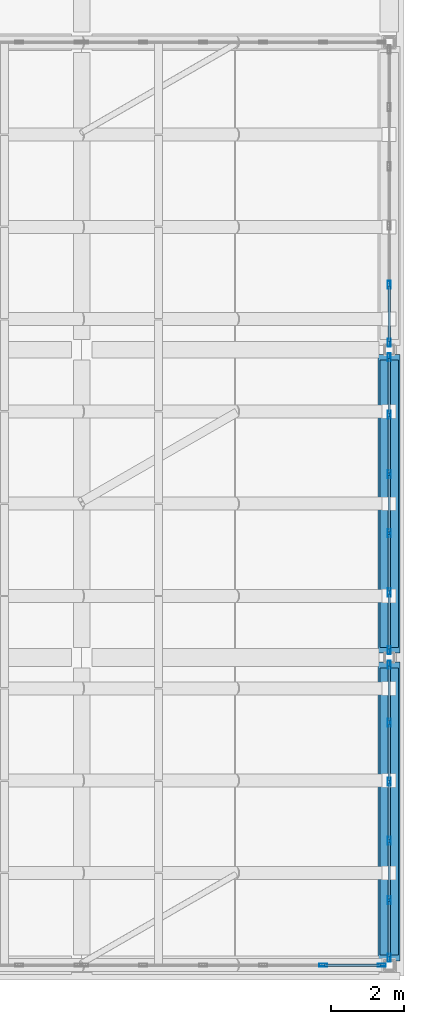
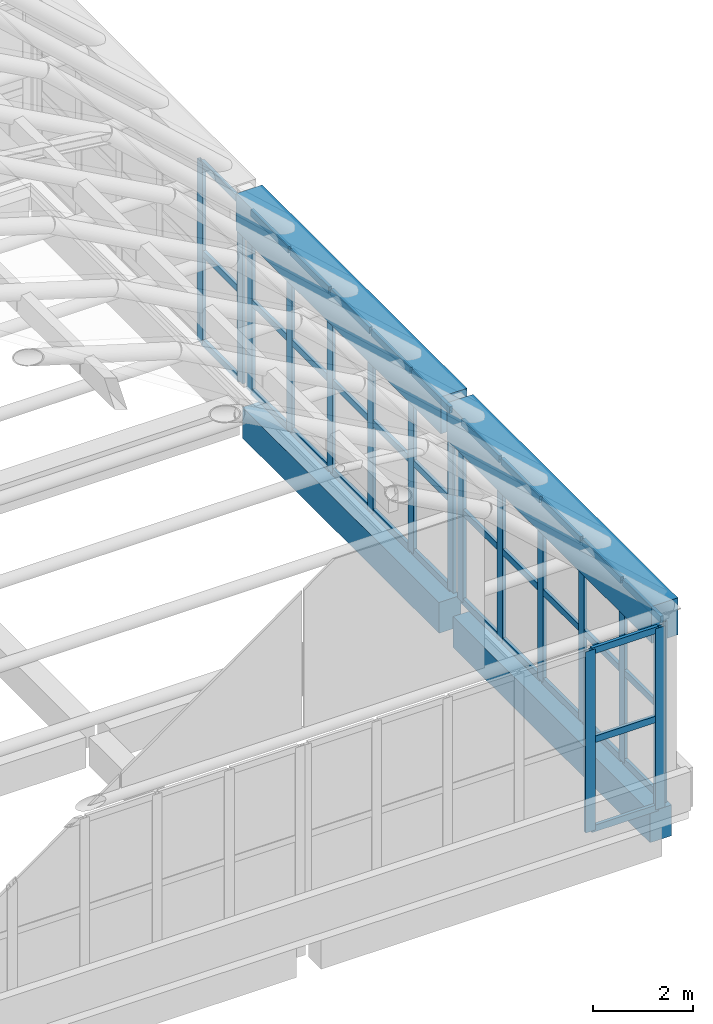
# One storey, part 20 of 26: 52 members, 4 beams, 4 elements without a shape of their own.
"""IFC4 building model written with IfcOpenShell, lengths in metres."""

from ifc_helpers import new_model, si_unit, direction, frame, origin, origin_2d, place, context, subcontext, project, spatial, rectangle, hollow_rectangle, extrude, material, layer, layer_set, material_profile, profile_set, type_object, element, aggregate, save


model = new_model("IFC4")

# Units and contexts
model_context = context("Model", 3, precision=1e-05, world=origin(), true_north=direction((0.0, 1.0)))
body_context = subcontext(model_context, "Body", "Model", "MODEL_VIEW")
ifc_project = project(units=[si_unit("LENGTHUNIT", "METRE"), si_unit("AREAUNIT", "SQUARE_METRE"), si_unit("VOLUMEUNIT", "CUBIC_METRE"), si_unit("PLANEANGLEUNIT", "RADIAN"), si_unit("MASSUNIT", "GRAM", prefix="KILO")], contexts=[model_context])

# Site, building, storey
site_placement = place(None, origin())
site = spatial("IfcSite", under=ifc_project, at=site_placement, CompositionType="ELEMENT")
building_placement = place(site_placement, origin())
building = spatial("IfcBuilding", under=site, at=building_placement, Name="Xazarin Passage Department Store", CompositionType="ELEMENT")
storey_placement = place(building_placement, frame((0.0, 0.0, 36.89990234375)))
storey = spatial("IfcBuildingStorey", under=building, at=storey_placement, Name="RF", CompositionType="ELEMENT", Elevation=36.89990234375)

# Curtain wall, members
ifc_material_1 = material(Name="Bronze anodised aluminium", Category="aluminium")
ifc_layer = layer(ifc_material_1, 0.199951171875)
ifc_layer_set = layer_set([ifc_layer], Name="Bronze anodised aluminium")
curtain_wall_type = type_object("IfcCurtainWallType", Name="ARC-CW-VIT2", PredefinedType="NOTDEFINED", material=ifc_layer_set)
curtain_wall_1_placement = place(storey_placement, origin())
curtain_wall_1 = element("IfcCurtainWall", 1, at=curtain_wall_1_placement, inside=storey, type_object=curtain_wall_type, Name="RF V1 Atrium Lantern Curtain Wall 02", PredefinedType="NOTDEFINED")
ifc_material_profile_1 = material_profile(ifc_material_1, hollow_rectangle(XDim=0.074951171875, YDim=0.219970703125, WallThickness=0.0048828125, at=origin_2d()), Name="ALU 75x220")
ifc_profile_set_1 = profile_set([ifc_material_profile_1], Name="Bronze anodised aluminium")
member_type_1 = type_object("IfcMemberType", Name="ARC-CWM-75x220", PredefinedType="MULLION", material=ifc_profile_set_1)
member_1_placement = place(storey_placement, frame((33.60009765625, 76.597412109375, 0.0), z_axis=(0.0, 0.0, 1.0), x_axis=(-1.0, 0.0, 0.0)))
member_1 = element("IfcMember", 2, at=member_1_placement, type_object=member_type_1, Name="CW2 mullion 1", PredefinedType="MULLION", context=body_context, shape_type="SweptSolid", body=[
    extrude(hollow_rectangle(XDim=0.074951171875, YDim=0.219970703125, WallThickness=0.0048828125, at=origin_2d()), origin(), (0.0, 0.0, 1.0), 4.404296875),
])
member_2_placement = place(storey_placement, frame((33.60009765625, 78.176025390625, 0.0), z_axis=(0.0, 0.0, 1.0), x_axis=(-1.0, 0.0, 0.0)))
member_2 = element("IfcMember", 3, at=member_2_placement, type_object=member_type_1, Name="CW2 mullion 2", PredefinedType="MULLION", context=body_context, shape_type="SweptSolid", body=[
    extrude(hollow_rectangle(XDim=0.074951171875, YDim=0.219970703125, WallThickness=0.0048828125, at=origin_2d()), origin(), (0.0, 0.0, 1.0), 4.404296875),
])
member_3_placement = place(storey_placement, frame((33.60009765625, 79.7919921875, 0.0), z_axis=(0.0, 0.0, 1.0), x_axis=(-1.0, 0.0, 0.0)))
member_3 = element("IfcMember", 4, at=member_3_placement, type_object=member_type_1, Name="CW2 mullion 3", PredefinedType="MULLION", context=body_context, shape_type="SweptSolid", body=[
    extrude(hollow_rectangle(XDim=0.074951171875, YDim=0.219970703125, WallThickness=0.0048828125, at=origin_2d()), origin(), (0.0, 0.0, 1.0), 4.404296875),
])
member_4_placement = place(storey_placement, frame((33.60009765625, 81.407958984375, 0.0), z_axis=(0.0, 0.0, 1.0), x_axis=(-1.0, 0.0, 0.0)))
member_4 = element("IfcMember", 5, at=member_4_placement, type_object=member_type_1, Name="CW2 mullion 4", PredefinedType="MULLION", context=body_context, shape_type="SweptSolid", body=[
    extrude(hollow_rectangle(XDim=0.074951171875, YDim=0.219970703125, WallThickness=0.0048828125, at=origin_2d()), origin(), (0.0, 0.0, 1.0), 4.404296875),
])
member_5_placement = place(storey_placement, frame((33.60009765625, 83.02392578125, 0.0), z_axis=(0.0, 0.0, 1.0), x_axis=(-1.0, 0.0, 0.0)))
member_5 = element("IfcMember", 6, at=member_5_placement, type_object=member_type_1, Name="CW2 mullion 5", PredefinedType="MULLION", context=body_context, shape_type="SweptSolid", body=[
    extrude(hollow_rectangle(XDim=0.074951171875, YDim=0.219970703125, WallThickness=0.0048828125, at=origin_2d()), origin(), (0.0, 0.0, 1.0), 4.404296875),
])
member_6_placement = place(storey_placement, frame((33.60009765625, 84.6025390625, 0.0), z_axis=(0.0, 0.0, 1.0), x_axis=(-1.0, 0.0, 0.0)))
member_6 = element("IfcMember", 7, at=member_6_placement, type_object=member_type_1, Name="CW2 mullion 6", PredefinedType="MULLION", context=body_context, shape_type="SweptSolid", body=[
    extrude(hollow_rectangle(XDim=0.074951171875, YDim=0.219970703125, WallThickness=0.0048828125, at=origin_2d()), origin(), (0.0, 0.0, 1.0), 4.404296875),
])

curtain_wall_2_placement = place(storey_placement, origin())
curtain_wall_2 = element("IfcCurtainWall", 8, at=curtain_wall_2_placement, inside=storey, type_object=curtain_wall_type, Name="RF V1 Atrium Lantern Curtain Wall 04", PredefinedType="NOTDEFINED")
member_7_placement = place(storey_placement, frame((33.60009765625, 84.99755859375, 0.0), z_axis=(0.0, 0.0, 1.0), x_axis=(-1.0, 0.0, 0.0)))
member_7 = element("IfcMember", 9, at=member_7_placement, type_object=member_type_1, Name="CW2 mullion 1", PredefinedType="MULLION", context=body_context, shape_type="SweptSolid", body=[
    extrude(hollow_rectangle(XDim=0.074951171875, YDim=0.219970703125, WallThickness=0.0048828125, at=origin_2d()), origin(), (0.0, 0.0, 1.0), 4.404296875),
])
member_8_placement = place(storey_placement, frame((33.60009765625, 86.575927734375, 0.0), z_axis=(0.0, 0.0, 1.0), x_axis=(-1.0, 0.0, 0.0)))
member_8 = element("IfcMember", 10, at=member_8_placement, type_object=member_type_1, Name="CW2 mullion 2", PredefinedType="MULLION", context=body_context, shape_type="SweptSolid", body=[
    extrude(hollow_rectangle(XDim=0.074951171875, YDim=0.219970703125, WallThickness=0.0048828125, at=origin_2d()), origin(), (0.0, 0.0, 1.0), 4.404296875),
])
member_9_placement = place(storey_placement, frame((33.60009765625, 88.19189453125, 0.0), z_axis=(0.0, 0.0, 1.0), x_axis=(-1.0, 0.0, 0.0)))
member_9 = element("IfcMember", 11, at=member_9_placement, type_object=member_type_1, Name="CW2 mullion 3", PredefinedType="MULLION", context=body_context, shape_type="SweptSolid", body=[
    extrude(hollow_rectangle(XDim=0.074951171875, YDim=0.219970703125, WallThickness=0.0048828125, at=origin_2d()), origin(), (0.0, 0.0, 1.0), 4.404296875),
])
member_10_placement = place(storey_placement, frame((33.60009765625, 89.80810546875, 0.0), z_axis=(0.0, 0.0, 1.0), x_axis=(-1.0, 0.0, 0.0)))
member_10 = element("IfcMember", 12, at=member_10_placement, type_object=member_type_1, Name="CW2 mullion 4", PredefinedType="MULLION", context=body_context, shape_type="SweptSolid", body=[
    extrude(hollow_rectangle(XDim=0.074951171875, YDim=0.219970703125, WallThickness=0.0048828125, at=origin_2d()), origin(), (0.0, 0.0, 1.0), 4.404296875),
])
member_11_placement = place(storey_placement, frame((33.60009765625, 91.424072265625, 0.0), z_axis=(0.0, 0.0, 1.0), x_axis=(-1.0, 0.0, 0.0)))
member_11 = element("IfcMember", 13, at=member_11_placement, type_object=member_type_1, Name="CW2 mullion 5", PredefinedType="MULLION", context=body_context, shape_type="SweptSolid", body=[
    extrude(hollow_rectangle(XDim=0.074951171875, YDim=0.219970703125, WallThickness=0.0048828125, at=origin_2d()), origin(), (0.0, 0.0, 1.0), 4.404296875),
])
member_12_placement = place(storey_placement, frame((33.60009765625, 93.00244140625, 0.0), z_axis=(0.0, 0.0, 1.0), x_axis=(-1.0, 0.0, 0.0)))
member_12 = element("IfcMember", 14, at=member_12_placement, type_object=member_type_1, Name="CW2 mullion 6", PredefinedType="MULLION", context=body_context, shape_type="SweptSolid", body=[
    extrude(hollow_rectangle(XDim=0.074951171875, YDim=0.219970703125, WallThickness=0.0048828125, at=origin_2d()), origin(), (0.0, 0.0, 1.0), 4.404296875),
])

curtain_wall_3_placement = place(storey_placement, origin())
curtain_wall_3 = element("IfcCurtainWall", 15, at=curtain_wall_3_placement, inside=storey, type_object=curtain_wall_type, Name="RF V1 Atrium Lantern Curtain Wall 06", PredefinedType="NOTDEFINED")
member_13_placement = place(storey_placement, frame((33.60009765625, 93.3974609375, 0.0), z_axis=(0.0, 0.0, 1.0), x_axis=(-1.0, 0.0, 0.0)))
member_13 = element("IfcMember", 16, at=member_13_placement, type_object=member_type_1, Name="CW2 mullion 1", PredefinedType="MULLION", context=body_context, shape_type="SweptSolid", body=[
    extrude(hollow_rectangle(XDim=0.074951171875, YDim=0.219970703125, WallThickness=0.0048828125, at=origin_2d()), origin(), (0.0, 0.0, 1.0), 4.404296875),
])
member_14_placement = place(storey_placement, frame((33.60009765625, 94.97607421875, 0.0), z_axis=(0.0, 0.0, 1.0), x_axis=(-1.0, 0.0, 0.0)))
member_14 = element("IfcMember", 17, at=member_14_placement, type_object=member_type_1, Name="CW2 mullion 2", PredefinedType="MULLION", context=body_context, shape_type="SweptSolid", body=[
    extrude(hollow_rectangle(XDim=0.074951171875, YDim=0.219970703125, WallThickness=0.0048828125, at=origin_2d()), origin(), (0.0, 0.0, 1.0), 4.404296875),
])

curtain_wall_4_placement = place(storey_placement, origin())
curtain_wall_4 = element("IfcCurtainWall", 18, at=curtain_wall_4_placement, inside=storey, type_object=curtain_wall_type, Name="RF V1 Atrium Lantern Curtain Wall 13", PredefinedType="NOTDEFINED")
member_15_placement = place(storey_placement, frame((31.800048828125, 76.39990234375, 0.0), z_axis=(0.0, 0.0, 1.0), x_axis=(0.0, 1.0, 0.0)))
member_15 = element("IfcMember", 19, at=member_15_placement, type_object=member_type_1, Name="CW2 mullion 5", PredefinedType="MULLION", context=body_context, shape_type="SweptSolid", body=[
    extrude(hollow_rectangle(XDim=0.074951171875, YDim=0.219970703125, WallThickness=0.0048828125, at=origin_2d()), origin(), (0.0, 0.0, 1.0), 4.404296875),
])
member_16_placement = place(storey_placement, frame((33.402587890625, 76.39990234375, 0.0), z_axis=(0.0, 0.0, 1.0), x_axis=(0.0, 1.0, 0.0)))
member_16 = element("IfcMember", 20, at=member_16_placement, type_object=member_type_1, Name="CW2 mullion 6", PredefinedType="MULLION", context=body_context, shape_type="SweptSolid", body=[
    extrude(hollow_rectangle(XDim=0.074951171875, YDim=0.219970703125, WallThickness=0.0048828125, at=origin_2d()), origin(), (0.0, 0.0, 1.0), 4.404296875),
])

# Member
ifc_material_profile_2 = material_profile(ifc_material_1, hollow_rectangle(XDim=0.074951171875, YDim=0.159912109375, WallThickness=0.00439453125, at=origin_2d()), Name="ALU 75x160")
ifc_profile_set_2 = profile_set([ifc_material_profile_2], Name="Bronze anodised aluminium")
member_type_2 = type_object("IfcMemberType", Name="ARC-CWT-75x160", PredefinedType="USERDEFINED", material=ifc_profile_set_2)
member_17_placement = place(storey_placement, frame((33.60009765625, 76.635009765625, 0.03759765625), z_axis=(0.0, 1.0, 0.0), x_axis=(-1.0, 0.0, 0.0)))
member_17 = element("IfcMember", 21, at=member_17_placement, type_object=member_type_2, Name="CW2 transom 1.1", ObjectType="TRANSOM", PredefinedType="USERDEFINED", context=body_context, shape_type="SweptSolid", body=[
    extrude(hollow_rectangle(XDim=0.074951171875, YDim=0.159912109375, WallThickness=0.00439453125, at=origin_2d()), origin(), (0.0, 0.0, 1.0), 1.50341796875),
])

member_18_placement = place(storey_placement, frame((33.60009765625, 76.635009765625, 2.2021484375), z_axis=(0.0, 1.0, 0.0), x_axis=(-1.0, 0.0, 0.0)))
member_18 = element("IfcMember", 22, at=member_18_placement, type_object=member_type_2, Name="CW2 transom 1.2", ObjectType="TRANSOM", PredefinedType="USERDEFINED", context=body_context, shape_type="SweptSolid", body=[
    extrude(hollow_rectangle(XDim=0.074951171875, YDim=0.159912109375, WallThickness=0.00439453125, at=origin_2d()), origin(), (0.0, 0.0, 1.0), 1.50341796875),
])

member_19_placement = place(storey_placement, frame((33.60009765625, 76.635009765625, 4.36669921875), z_axis=(0.0, 1.0, 0.0), x_axis=(-1.0, 0.0, 0.0)))
member_19 = element("IfcMember", 23, at=member_19_placement, type_object=member_type_2, Name="CW2 transom 1.3", ObjectType="TRANSOM", PredefinedType="USERDEFINED", context=body_context, shape_type="SweptSolid", body=[
    extrude(hollow_rectangle(XDim=0.074951171875, YDim=0.159912109375, WallThickness=0.00439453125, at=origin_2d()), origin(), (0.0, 0.0, 1.0), 1.50341796875),
])

member_20_placement = place(storey_placement, frame((33.60009765625, 78.21337890625, 0.03759765625), z_axis=(0.0, 1.0, 0.0), x_axis=(-1.0, 0.0, 0.0)))
member_20 = element("IfcMember", 24, at=member_20_placement, type_object=member_type_2, Name="CW2 transom 2.1", ObjectType="TRANSOM", PredefinedType="USERDEFINED", context=body_context, shape_type="SweptSolid", body=[
    extrude(hollow_rectangle(XDim=0.074951171875, YDim=0.159912109375, WallThickness=0.00439453125, at=origin_2d()), origin(), (0.0, 0.0, 1.0), 1.541015625),
])

member_21_placement = place(storey_placement, frame((33.60009765625, 78.21337890625, 2.2021484375), z_axis=(0.0, 1.0, 0.0), x_axis=(-1.0, 0.0, 0.0)))
member_21 = element("IfcMember", 25, at=member_21_placement, type_object=member_type_2, Name="CW2 transom 2.2", ObjectType="TRANSOM", PredefinedType="USERDEFINED", context=body_context, shape_type="SweptSolid", body=[
    extrude(hollow_rectangle(XDim=0.074951171875, YDim=0.159912109375, WallThickness=0.00439453125, at=origin_2d()), origin(), (0.0, 0.0, 1.0), 1.541015625),
])

member_22_placement = place(storey_placement, frame((33.60009765625, 78.21337890625, 4.36669921875), z_axis=(0.0, 1.0, 0.0), x_axis=(-1.0, 0.0, 0.0)))
member_22 = element("IfcMember", 26, at=member_22_placement, type_object=member_type_2, Name="CW2 transom 2.3", ObjectType="TRANSOM", PredefinedType="USERDEFINED", context=body_context, shape_type="SweptSolid", body=[
    extrude(hollow_rectangle(XDim=0.074951171875, YDim=0.159912109375, WallThickness=0.00439453125, at=origin_2d()), origin(), (0.0, 0.0, 1.0), 1.541015625),
])

member_23_placement = place(storey_placement, frame((33.60009765625, 79.82958984375, 0.03759765625), z_axis=(0.0, 1.0, 0.0), x_axis=(-1.0, 0.0, 0.0)))
member_23 = element("IfcMember", 27, at=member_23_placement, type_object=member_type_2, Name="CW2 transom 3.1", ObjectType="TRANSOM", PredefinedType="USERDEFINED", context=body_context, shape_type="SweptSolid", body=[
    extrude(hollow_rectangle(XDim=0.074951171875, YDim=0.159912109375, WallThickness=0.00439453125, at=origin_2d()), origin(), (0.0, 0.0, 1.0), 1.541015625),
])

member_24_placement = place(storey_placement, frame((33.60009765625, 79.82958984375, 2.2021484375), z_axis=(0.0, 1.0, 0.0), x_axis=(-1.0, 0.0, 0.0)))
member_24 = element("IfcMember", 28, at=member_24_placement, type_object=member_type_2, Name="CW2 transom 3.2", ObjectType="TRANSOM", PredefinedType="USERDEFINED", context=body_context, shape_type="SweptSolid", body=[
    extrude(hollow_rectangle(XDim=0.074951171875, YDim=0.159912109375, WallThickness=0.00439453125, at=origin_2d()), origin(), (0.0, 0.0, 1.0), 1.541015625),
])

member_25_placement = place(storey_placement, frame((33.60009765625, 79.82958984375, 4.36669921875), z_axis=(0.0, 1.0, 0.0), x_axis=(-1.0, 0.0, 0.0)))
member_25 = element("IfcMember", 29, at=member_25_placement, type_object=member_type_2, Name="CW2 transom 3.3", ObjectType="TRANSOM", PredefinedType="USERDEFINED", context=body_context, shape_type="SweptSolid", body=[
    extrude(hollow_rectangle(XDim=0.074951171875, YDim=0.159912109375, WallThickness=0.00439453125, at=origin_2d()), origin(), (0.0, 0.0, 1.0), 1.541015625),
])

member_26_placement = place(storey_placement, frame((33.60009765625, 81.445556640625, 0.03759765625), z_axis=(0.0, 1.0, 0.0), x_axis=(-1.0, 0.0, 0.0)))
member_26 = element("IfcMember", 30, at=member_26_placement, type_object=member_type_2, Name="CW2 transom 4.1", ObjectType="TRANSOM", PredefinedType="USERDEFINED", context=body_context, shape_type="SweptSolid", body=[
    extrude(hollow_rectangle(XDim=0.074951171875, YDim=0.159912109375, WallThickness=0.00439453125, at=origin_2d()), origin(), (0.0, 0.0, 1.0), 1.541015625),
])

member_27_placement = place(storey_placement, frame((33.60009765625, 81.445556640625, 2.2021484375), z_axis=(0.0, 1.0, 0.0), x_axis=(-1.0, 0.0, 0.0)))
member_27 = element("IfcMember", 31, at=member_27_placement, type_object=member_type_2, Name="CW2 transom 4.2", ObjectType="TRANSOM", PredefinedType="USERDEFINED", context=body_context, shape_type="SweptSolid", body=[
    extrude(hollow_rectangle(XDim=0.074951171875, YDim=0.159912109375, WallThickness=0.00439453125, at=origin_2d()), origin(), (0.0, 0.0, 1.0), 1.541015625),
])

member_28_placement = place(storey_placement, frame((33.60009765625, 81.445556640625, 4.36669921875), z_axis=(0.0, 1.0, 0.0), x_axis=(-1.0, 0.0, 0.0)))
member_28 = element("IfcMember", 32, at=member_28_placement, type_object=member_type_2, Name="CW2 transom 4.3", ObjectType="TRANSOM", PredefinedType="USERDEFINED", context=body_context, shape_type="SweptSolid", body=[
    extrude(hollow_rectangle(XDim=0.074951171875, YDim=0.159912109375, WallThickness=0.00439453125, at=origin_2d()), origin(), (0.0, 0.0, 1.0), 1.541015625),
])

member_29_placement = place(storey_placement, frame((33.60009765625, 83.0615234375, 0.03759765625), z_axis=(0.0, 1.0, 0.0), x_axis=(-1.0, 0.0, 0.0)))
member_29 = element("IfcMember", 33, at=member_29_placement, type_object=member_type_2, Name="CW2 transom 5.1", ObjectType="TRANSOM", PredefinedType="USERDEFINED", context=body_context, shape_type="SweptSolid", body=[
    extrude(hollow_rectangle(XDim=0.074951171875, YDim=0.159912109375, WallThickness=0.00439453125, at=origin_2d()), origin(), (0.0, 0.0, 1.0), 1.50341796875),
])

member_30_placement = place(storey_placement, frame((33.60009765625, 83.0615234375, 2.2021484375), z_axis=(0.0, 1.0, 0.0), x_axis=(-1.0, 0.0, 0.0)))
member_30 = element("IfcMember", 34, at=member_30_placement, type_object=member_type_2, Name="CW2 transom 5.2", ObjectType="TRANSOM", PredefinedType="USERDEFINED", context=body_context, shape_type="SweptSolid", body=[
    extrude(hollow_rectangle(XDim=0.074951171875, YDim=0.159912109375, WallThickness=0.00439453125, at=origin_2d()), origin(), (0.0, 0.0, 1.0), 1.50341796875),
])

member_31_placement = place(storey_placement, frame((33.60009765625, 83.0615234375, 4.36669921875), z_axis=(0.0, 1.0, 0.0), x_axis=(-1.0, 0.0, 0.0)))
member_31 = element("IfcMember", 35, at=member_31_placement, type_object=member_type_2, Name="CW2 transom 5.3", ObjectType="TRANSOM", PredefinedType="USERDEFINED", context=body_context, shape_type="SweptSolid", body=[
    extrude(hollow_rectangle(XDim=0.074951171875, YDim=0.159912109375, WallThickness=0.00439453125, at=origin_2d()), origin(), (0.0, 0.0, 1.0), 1.50341796875),
])

aggregate(curtain_wall_1, [member_1, member_2, member_3, member_4, member_5, member_6, member_17, member_18, member_19, member_20, member_21, member_22, member_23, member_24, member_25, member_26, member_27, member_28, member_29, member_30, member_31])

member_32_placement = place(storey_placement, frame((33.60009765625, 85.034912109375, 0.03759765625), z_axis=(0.0, 1.0, 0.0), x_axis=(-1.0, 0.0, 0.0)))
member_32 = element("IfcMember", 36, at=member_32_placement, type_object=member_type_2, Name="CW2 transom 1.1", ObjectType="TRANSOM", PredefinedType="USERDEFINED", context=body_context, shape_type="SweptSolid", body=[
    extrude(hollow_rectangle(XDim=0.074951171875, YDim=0.159912109375, WallThickness=0.00439453125, at=origin_2d()), origin(), (0.0, 0.0, 1.0), 1.503662109375),
])

member_33_placement = place(storey_placement, frame((33.60009765625, 85.034912109375, 2.2021484375), z_axis=(0.0, 1.0, 0.0), x_axis=(-1.0, 0.0, 0.0)))
member_33 = element("IfcMember", 37, at=member_33_placement, type_object=member_type_2, Name="CW2 transom 1.2", ObjectType="TRANSOM", PredefinedType="USERDEFINED", context=body_context, shape_type="SweptSolid", body=[
    extrude(hollow_rectangle(XDim=0.074951171875, YDim=0.159912109375, WallThickness=0.00439453125, at=origin_2d()), origin(), (0.0, 0.0, 1.0), 1.503662109375),
])

member_34_placement = place(storey_placement, frame((33.60009765625, 85.034912109375, 4.36669921875), z_axis=(0.0, 1.0, 0.0), x_axis=(-1.0, 0.0, 0.0)))
member_34 = element("IfcMember", 38, at=member_34_placement, type_object=member_type_2, Name="CW2 transom 1.3", ObjectType="TRANSOM", PredefinedType="USERDEFINED", context=body_context, shape_type="SweptSolid", body=[
    extrude(hollow_rectangle(XDim=0.074951171875, YDim=0.159912109375, WallThickness=0.00439453125, at=origin_2d()), origin(), (0.0, 0.0, 1.0), 1.503662109375),
])

member_35_placement = place(storey_placement, frame((33.60009765625, 86.613525390625, 0.03759765625), z_axis=(0.0, 1.0, 0.0), x_axis=(-1.0, 0.0, 0.0)))
member_35 = element("IfcMember", 39, at=member_35_placement, type_object=member_type_2, Name="CW2 transom 2.1", ObjectType="TRANSOM", PredefinedType="USERDEFINED", context=body_context, shape_type="SweptSolid", body=[
    extrude(hollow_rectangle(XDim=0.074951171875, YDim=0.159912109375, WallThickness=0.00439453125, at=origin_2d()), origin(), (0.0, 0.0, 1.0), 1.541015625),
])

member_36_placement = place(storey_placement, frame((33.60009765625, 86.613525390625, 2.2021484375), z_axis=(0.0, 1.0, 0.0), x_axis=(-1.0, 0.0, 0.0)))
member_36 = element("IfcMember", 40, at=member_36_placement, type_object=member_type_2, Name="CW2 transom 2.2", ObjectType="TRANSOM", PredefinedType="USERDEFINED", context=body_context, shape_type="SweptSolid", body=[
    extrude(hollow_rectangle(XDim=0.074951171875, YDim=0.159912109375, WallThickness=0.00439453125, at=origin_2d()), origin(), (0.0, 0.0, 1.0), 1.541015625),
])

member_37_placement = place(storey_placement, frame((33.60009765625, 86.613525390625, 4.36669921875), z_axis=(0.0, 1.0, 0.0), x_axis=(-1.0, 0.0, 0.0)))
member_37 = element("IfcMember", 41, at=member_37_placement, type_object=member_type_2, Name="CW2 transom 2.3", ObjectType="TRANSOM", PredefinedType="USERDEFINED", context=body_context, shape_type="SweptSolid", body=[
    extrude(hollow_rectangle(XDim=0.074951171875, YDim=0.159912109375, WallThickness=0.00439453125, at=origin_2d()), origin(), (0.0, 0.0, 1.0), 1.541015625),
])

member_38_placement = place(storey_placement, frame((33.60009765625, 88.2294921875, 0.03759765625), z_axis=(0.0, 1.0, 0.0), x_axis=(-1.0, 0.0, 0.0)))
member_38 = element("IfcMember", 42, at=member_38_placement, type_object=member_type_2, Name="CW2 transom 3.1", ObjectType="TRANSOM", PredefinedType="USERDEFINED", context=body_context, shape_type="SweptSolid", body=[
    extrude(hollow_rectangle(XDim=0.074951171875, YDim=0.159912109375, WallThickness=0.00439453125, at=origin_2d()), origin(), (0.0, 0.0, 1.0), 1.541015625),
])

member_39_placement = place(storey_placement, frame((33.60009765625, 88.2294921875, 2.2021484375), z_axis=(0.0, 1.0, 0.0), x_axis=(-1.0, 0.0, 0.0)))
member_39 = element("IfcMember", 43, at=member_39_placement, type_object=member_type_2, Name="CW2 transom 3.2", ObjectType="TRANSOM", PredefinedType="USERDEFINED", context=body_context, shape_type="SweptSolid", body=[
    extrude(hollow_rectangle(XDim=0.074951171875, YDim=0.159912109375, WallThickness=0.00439453125, at=origin_2d()), origin(), (0.0, 0.0, 1.0), 1.541015625),
])

member_40_placement = place(storey_placement, frame((33.60009765625, 88.2294921875, 4.36669921875), z_axis=(0.0, 1.0, 0.0), x_axis=(-1.0, 0.0, 0.0)))
member_40 = element("IfcMember", 44, at=member_40_placement, type_object=member_type_2, Name="CW2 transom 3.3", ObjectType="TRANSOM", PredefinedType="USERDEFINED", context=body_context, shape_type="SweptSolid", body=[
    extrude(hollow_rectangle(XDim=0.074951171875, YDim=0.159912109375, WallThickness=0.00439453125, at=origin_2d()), origin(), (0.0, 0.0, 1.0), 1.541015625),
])

member_41_placement = place(storey_placement, frame((33.60009765625, 89.845458984375, 0.03759765625), z_axis=(0.0, 1.0, 0.0), x_axis=(-1.0, 0.0, 0.0)))
member_41 = element("IfcMember", 45, at=member_41_placement, type_object=member_type_2, Name="CW2 transom 4.1", ObjectType="TRANSOM", PredefinedType="USERDEFINED", context=body_context, shape_type="SweptSolid", body=[
    extrude(hollow_rectangle(XDim=0.074951171875, YDim=0.159912109375, WallThickness=0.00439453125, at=origin_2d()), origin(), (0.0, 0.0, 1.0), 1.541015625),
])

member_42_placement = place(storey_placement, frame((33.60009765625, 89.845458984375, 2.2021484375), z_axis=(0.0, 1.0, 0.0), x_axis=(-1.0, 0.0, 0.0)))
member_42 = element("IfcMember", 46, at=member_42_placement, type_object=member_type_2, Name="CW2 transom 4.2", ObjectType="TRANSOM", PredefinedType="USERDEFINED", context=body_context, shape_type="SweptSolid", body=[
    extrude(hollow_rectangle(XDim=0.074951171875, YDim=0.159912109375, WallThickness=0.00439453125, at=origin_2d()), origin(), (0.0, 0.0, 1.0), 1.541015625),
])

member_43_placement = place(storey_placement, frame((33.60009765625, 89.845458984375, 4.36669921875), z_axis=(0.0, 1.0, 0.0), x_axis=(-1.0, 0.0, 0.0)))
member_43 = element("IfcMember", 47, at=member_43_placement, type_object=member_type_2, Name="CW2 transom 4.3", ObjectType="TRANSOM", PredefinedType="USERDEFINED", context=body_context, shape_type="SweptSolid", body=[
    extrude(hollow_rectangle(XDim=0.074951171875, YDim=0.159912109375, WallThickness=0.00439453125, at=origin_2d()), origin(), (0.0, 0.0, 1.0), 1.541015625),
])

member_44_placement = place(storey_placement, frame((33.60009765625, 91.46142578125, 0.03759765625), z_axis=(0.0, 1.0, 0.0), x_axis=(-1.0, 0.0, 0.0)))
member_44 = element("IfcMember", 48, at=member_44_placement, type_object=member_type_2, Name="CW2 transom 5.1", ObjectType="TRANSOM", PredefinedType="USERDEFINED", context=body_context, shape_type="SweptSolid", body=[
    extrude(hollow_rectangle(XDim=0.074951171875, YDim=0.159912109375, WallThickness=0.00439453125, at=origin_2d()), origin(), (0.0, 0.0, 1.0), 1.503662109375),
])

member_45_placement = place(storey_placement, frame((33.60009765625, 91.46142578125, 2.2021484375), z_axis=(0.0, 1.0, 0.0), x_axis=(-1.0, 0.0, 0.0)))
member_45 = element("IfcMember", 49, at=member_45_placement, type_object=member_type_2, Name="CW2 transom 5.2", ObjectType="TRANSOM", PredefinedType="USERDEFINED", context=body_context, shape_type="SweptSolid", body=[
    extrude(hollow_rectangle(XDim=0.074951171875, YDim=0.159912109375, WallThickness=0.00439453125, at=origin_2d()), origin(), (0.0, 0.0, 1.0), 1.503662109375),
])

member_46_placement = place(storey_placement, frame((33.60009765625, 91.46142578125, 4.36669921875), z_axis=(0.0, 1.0, 0.0), x_axis=(-1.0, 0.0, 0.0)))
member_46 = element("IfcMember", 50, at=member_46_placement, type_object=member_type_2, Name="CW2 transom 5.3", ObjectType="TRANSOM", PredefinedType="USERDEFINED", context=body_context, shape_type="SweptSolid", body=[
    extrude(hollow_rectangle(XDim=0.074951171875, YDim=0.159912109375, WallThickness=0.00439453125, at=origin_2d()), origin(), (0.0, 0.0, 1.0), 1.503662109375),
])

aggregate(curtain_wall_2, [member_7, member_8, member_9, member_10, member_11, member_12, member_32, member_33, member_34, member_35, member_36, member_37, member_38, member_39, member_40, member_41, member_42, member_43, member_44, member_45, member_46])

member_47_placement = place(storey_placement, frame((33.60009765625, 93.43505859375, 0.03759765625), z_axis=(0.0, 1.0, 0.0), x_axis=(-1.0, 0.0, 0.0)))
member_47 = element("IfcMember", 51, at=member_47_placement, type_object=member_type_2, Name="CW2 transom 1.1", ObjectType="TRANSOM", PredefinedType="USERDEFINED", context=body_context, shape_type="SweptSolid", body=[
    extrude(hollow_rectangle(XDim=0.074951171875, YDim=0.159912109375, WallThickness=0.00439453125, at=origin_2d()), origin(), (0.0, 0.0, 1.0), 1.50341796875),
])

member_48_placement = place(storey_placement, frame((33.60009765625, 93.43505859375, 2.2021484375), z_axis=(0.0, 1.0, 0.0), x_axis=(-1.0, 0.0, 0.0)))
member_48 = element("IfcMember", 52, at=member_48_placement, type_object=member_type_2, Name="CW2 transom 1.2", ObjectType="TRANSOM", PredefinedType="USERDEFINED", context=body_context, shape_type="SweptSolid", body=[
    extrude(hollow_rectangle(XDim=0.074951171875, YDim=0.159912109375, WallThickness=0.00439453125, at=origin_2d()), origin(), (0.0, 0.0, 1.0), 1.50341796875),
])

member_49_placement = place(storey_placement, frame((33.60009765625, 93.43505859375, 4.36669921875), z_axis=(0.0, 1.0, 0.0), x_axis=(-1.0, 0.0, 0.0)))
member_49 = element("IfcMember", 53, at=member_49_placement, type_object=member_type_2, Name="CW2 transom 1.3", ObjectType="TRANSOM", PredefinedType="USERDEFINED", context=body_context, shape_type="SweptSolid", body=[
    extrude(hollow_rectangle(XDim=0.074951171875, YDim=0.159912109375, WallThickness=0.00439453125, at=origin_2d()), origin(), (0.0, 0.0, 1.0), 1.50341796875),
])

aggregate(curtain_wall_3, [member_13, member_14, member_47, member_48, member_49])

member_50_placement = place(storey_placement, frame((31.83740234375, 76.39990234375, 0.03759765625), z_axis=(1.0, 0.0, 0.0), x_axis=(0.0, 1.0, 0.0)))
member_50 = element("IfcMember", 54, at=member_50_placement, type_object=member_type_2, Name="CW2 transom 5.1", ObjectType="TRANSOM", PredefinedType="USERDEFINED", context=body_context, shape_type="SweptSolid", body=[
    extrude(hollow_rectangle(XDim=0.074951171875, YDim=0.159912109375, WallThickness=0.00439453125, at=origin_2d()), origin(), (0.0, 0.0, 1.0), 1.527587890625),
])

member_51_placement = place(storey_placement, frame((31.83740234375, 76.39990234375, 2.2021484375), z_axis=(1.0, 0.0, 0.0), x_axis=(0.0, 1.0, 0.0)))
member_51 = element("IfcMember", 55, at=member_51_placement, type_object=member_type_2, Name="CW2 transom 5.2", ObjectType="TRANSOM", PredefinedType="USERDEFINED", context=body_context, shape_type="SweptSolid", body=[
    extrude(hollow_rectangle(XDim=0.074951171875, YDim=0.159912109375, WallThickness=0.00439453125, at=origin_2d()), origin(), (0.0, 0.0, 1.0), 1.527587890625),
])

member_52_placement = place(storey_placement, frame((31.83740234375, 76.39990234375, 4.36669921875), z_axis=(1.0, 0.0, 0.0), x_axis=(0.0, 1.0, 0.0)))
member_52 = element("IfcMember", 56, at=member_52_placement, type_object=member_type_2, Name="CW2 transom 5.3", ObjectType="TRANSOM", PredefinedType="USERDEFINED", context=body_context, shape_type="SweptSolid", body=[
    extrude(hollow_rectangle(XDim=0.074951171875, YDim=0.159912109375, WallThickness=0.00439453125, at=origin_2d()), origin(), (0.0, 0.0, 1.0), 1.527587890625),
])

aggregate(curtain_wall_4, [member_15, member_16, member_50, member_51, member_52])

# Beams
ifc_material_2 = material(Name="Concrete C40/50", Category="concrete")
ifc_material_profile_3 = material_profile(ifc_material_2, rectangle(XDim=0.60009765625, YDim=0.89990234375, at=origin_2d()), Name="RC 600x900")
ifc_profile_set_3 = profile_set([ifc_material_profile_3], Name="Concrete C40/50")
beam_type_1 = type_object("IfcBeamType", Name="STR-BM-RG600x900", PredefinedType="BEAM", material=ifc_profile_set_3)
beam_1_placement = place(storey_placement, frame((33.60009765625, 76.52001953125, 4.404296875), z_axis=(0.0, 1.0, 0.0), x_axis=(-1.0, 0.0, 0.0)))
element("IfcBeam", 57, at=beam_1_placement, inside=storey, type_object=beam_type_1, Name="V1V Springing Ring Girder E-1", PredefinedType="BEAM", context=body_context, shape_type="SweptSolid", body=[
    extrude(rectangle(XDim=0.60009765625, YDim=0.89990234375, at=origin_2d()), origin(), (0.0, 0.0, 1.0), 8.159912109375),
])
beam_2_placement = place(storey_placement, frame((33.60009765625, 84.919921875, 4.404296875), z_axis=(0.0, 1.0, 0.0), x_axis=(-1.0, 0.0, 0.0)))
element("IfcBeam", 58, at=beam_2_placement, inside=storey, type_object=beam_type_1, Name="V1V Springing Ring Girder E-2", PredefinedType="BEAM", context=body_context, shape_type="SweptSolid", body=[
    extrude(rectangle(XDim=0.60009765625, YDim=0.89990234375, at=origin_2d()), origin(), (0.0, 0.0, 1.0), 8.16015625),
])
ifc_material_3 = material(Name="Concrete C35/45", Category="concrete")
ifc_material_profile_4 = material_profile(ifc_material_3, rectangle(XDim=0.5, YDim=0.75, at=origin_2d()), Name="RC 500x750")
ifc_profile_set_4 = profile_set([ifc_material_profile_4], Name="Concrete C35/45")
beam_type_2 = type_object("IfcBeamType", Name="STR-BM-SP500x750", PredefinedType="SPANDREL", material=ifc_profile_set_4)
beam_3_placement = place(storey_placement, frame((33.60009765625, 76.679931640625, -0.635009765625), z_axis=(0.0, 1.0, 0.0), x_axis=(-1.0, 0.0, 0.0)))
element("IfcBeam", 59, at=beam_3_placement, inside=storey, type_object=beam_type_2, Name="RF Grid Beam 5/L-M", PredefinedType="SPANDREL", context=body_context, shape_type="SweptSolid", body=[
    extrude(rectangle(XDim=0.5, YDim=0.75, at=origin_2d()), origin(), (0.0, 0.0, 1.0), 7.840087890625),
])
beam_4_placement = place(storey_placement, frame((33.60009765625, 85.080078125, -0.635009765625), z_axis=(0.0, 1.0, 0.0), x_axis=(-1.0, 0.0, 0.0)))
element("IfcBeam", 60, at=beam_4_placement, inside=storey, type_object=beam_type_2, Name="RF Grid Beam 5/M-N", PredefinedType="SPANDREL", context=body_context, shape_type="SweptSolid", body=[
    extrude(rectangle(XDim=0.5, YDim=0.75, at=origin_2d()), origin(), (0.0, 0.0, 1.0), 7.83984375),
])

save(model, "model.ifc")
